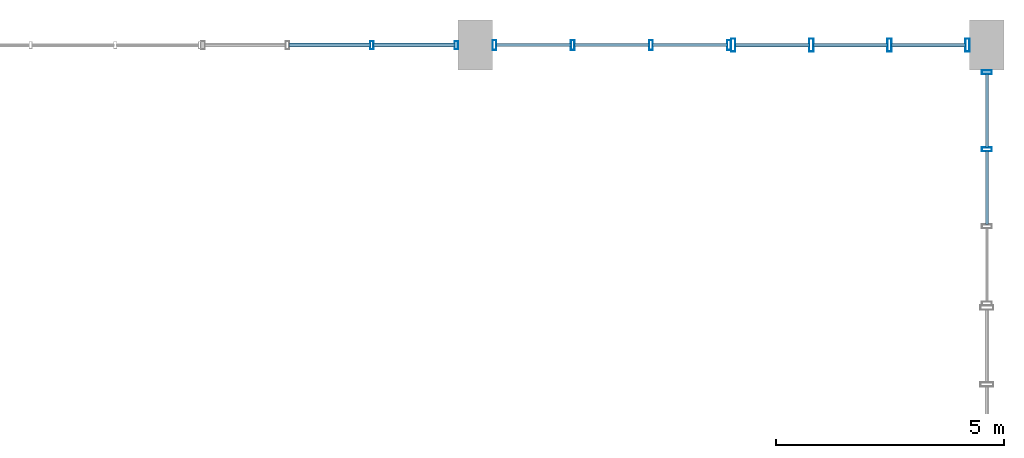
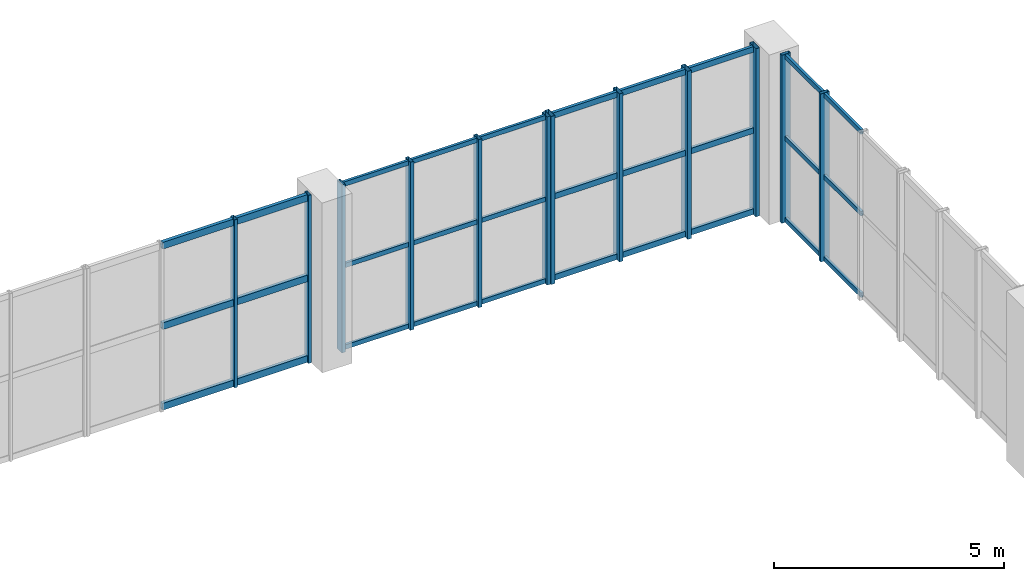
# One storey, part 53 of 80: 42 members, 4 elements without a shape of their own.
"""IFC4 building model written with IfcOpenShell, lengths in metres."""

from ifc_helpers import new_model, si_unit, direction, frame, origin, origin_2d, place, context, subcontext, project, spatial, hollow_rectangle, extrude, material, layer, layer_set, material_profile, profile_set, type_object, element, aggregate, save


model = new_model("IFC4")

# Units and contexts
model_context = context("Model", 3, precision=1e-05, world=origin(), true_north=direction((0.0, 1.0)))
body_context = subcontext(model_context, "Body", "Model", "MODEL_VIEW")
ifc_project = project(units=[si_unit("LENGTHUNIT", "METRE"), si_unit("AREAUNIT", "SQUARE_METRE"), si_unit("VOLUMEUNIT", "CUBIC_METRE"), si_unit("PLANEANGLEUNIT", "RADIAN"), si_unit("MASSUNIT", "GRAM", prefix="KILO"), si_unit("POWERUNIT", "WATT"), si_unit("THERMODYNAMICTEMPERATUREUNIT", "KELVIN")], contexts=[model_context])

# Site, building, storey
site_placement = place(None, origin())
site = spatial("IfcSite", under=ifc_project, at=site_placement, CompositionType="ELEMENT")
building_placement = place(site_placement, origin())
building = spatial("IfcBuilding", under=site, at=building_placement, Name="Kelmbourne Parkland Aquatics Centre", CompositionType="ELEMENT")
storey_placement = place(building_placement, frame((0.0, 0.0, 10.199951171875)))
storey = spatial("IfcBuildingStorey", under=building, at=storey_placement, Name="L02", CompositionType="ELEMENT", Elevation=10.199951171875)

# Curtain wall, members
ifc_material = material(Name="Thermally broken anodised aluminium framing", Category="aluminium")
ifc_layer_1 = layer(ifc_material, 0.179931640625)
ifc_layer_set_1 = layer_set([ifc_layer_1], Name="Thermally broken anodised aluminium framing")
curtain_wall_type_1 = type_object("IfcCurtainWallType", Name="CW-02", PredefinedType="NOTDEFINED", material=ifc_layer_set_1)
curtain_wall_1_placement = place(storey_placement, origin())
curtain_wall_1 = element("IfcCurtainWall", 1, at=curtain_wall_1_placement, inside=storey, type_object=curtain_wall_type_1, Name="Wave-hall clerestory curtain wall CW-L02-146", PredefinedType="NOTDEFINED")
ifc_material_profile_1 = material_profile(ifc_material, hollow_rectangle(XDim=0.074951171875, YDim=0.179931640625, WallThickness=0.00439453125, at=origin_2d()), Name="CW-M 75x180")
ifc_profile_set_1 = profile_set([ifc_material_profile_1], Name="Thermally broken anodised aluminium framing")
member_type_1 = type_object("IfcMemberType", Name="MB-MUL-2", PredefinedType="MULLION", material=ifc_profile_set_1)
member_1_placement = place(storey_placement, frame((161.736083984375, 114.800048828125, 0.0), z_axis=(0.0, 0.0, 1.0), x_axis=(1.0, 0.0, 0.0)))
member_1 = element("IfcMember", 2, at=member_1_placement, type_object=member_type_1, Name="CW-L02-146 mullion 2", PredefinedType="MULLION", context=body_context, shape_type="SweptSolid", body=[
    extrude(hollow_rectangle(XDim=0.074951171875, YDim=0.179931640625, WallThickness=0.00439453125, at=origin_2d()), origin(), (0.0, 0.0, 1.0), 4.449951171875),
])
member_2_placement = place(storey_placement, frame((163.58544921875, 114.800048828125, 0.0), z_axis=(0.0, 0.0, 1.0), x_axis=(1.0, 0.0, 0.0)))
member_2 = element("IfcMember", 3, at=member_2_placement, type_object=member_type_1, Name="CW-L02-146 mullion 3", PredefinedType="MULLION", context=body_context, shape_type="SweptSolid", body=[
    extrude(hollow_rectangle(XDim=0.074951171875, YDim=0.179931640625, WallThickness=0.00439453125, at=origin_2d()), origin(), (0.0, 0.0, 1.0), 4.449951171875),
])

ifc_layer_2 = layer(ifc_material, 0.179931640625)
ifc_layer_set_2 = layer_set([ifc_layer_2], Name="Thermally broken anodised aluminium framing")
curtain_wall_type_2 = type_object("IfcCurtainWallType", Name="CW-06", PredefinedType="NOTDEFINED", material=ifc_layer_set_2)
curtain_wall_2_placement = place(storey_placement, origin())
curtain_wall_2 = element("IfcCurtainWall", 4, at=curtain_wall_2_placement, inside=storey, type_object=curtain_wall_type_2, Name="Wave-hall clerestory curtain wall CW-L02-102", PredefinedType="NOTDEFINED")
ifc_material_profile_2 = material_profile(ifc_material, hollow_rectangle(XDim=0.0849609375, YDim=0.219970703125, WallThickness=0.0048828125, at=origin_2d()), Name="CW-M 85x220")
ifc_profile_set_2 = profile_set([ifc_material_profile_2], Name="Thermally broken anodised aluminium framing")
member_type_2 = type_object("IfcMemberType", Name="MB-MUL-3", PredefinedType="MULLION", material=ifc_profile_set_2)
member_3_placement = place(storey_placement, frame((175.199951171875, 112.517822265625, 0.0), z_axis=(0.0, 0.0, 1.0), x_axis=(0.0, 1.0, 0.0)))
member_3 = element("IfcMember", 5, at=member_3_placement, type_object=member_type_2, Name="CW-L02-102 mullion 2", PredefinedType="MULLION", context=body_context, shape_type="SweptSolid", body=[
    extrude(hollow_rectangle(XDim=0.0849609375, YDim=0.219970703125, WallThickness=0.0048828125, at=origin_2d()), origin(), (0.0, 0.0, 1.0), 4.449951171875),
])
member_4_placement = place(storey_placement, frame((175.199951171875, 114.20556640625, 0.0), z_axis=(0.0, 0.0, 1.0), x_axis=(0.0, 1.0, 0.0)))
member_4 = element("IfcMember", 6, at=member_4_placement, type_object=member_type_2, Name="CW-L02-102 mullion 3", PredefinedType="MULLION", context=body_context, shape_type="SweptSolid", body=[
    extrude(hollow_rectangle(XDim=0.0849609375, YDim=0.219970703125, WallThickness=0.0048828125, at=origin_2d()), origin(), (0.0, 0.0, 1.0), 4.449951171875),
])

ifc_layer_3 = layer(ifc_material, 0.179931640625)
ifc_layer_set_3 = layer_set([ifc_layer_3], Name="Thermally broken anodised aluminium framing")
curtain_wall_type_3 = type_object("IfcCurtainWallType", Name="CW-03", PredefinedType="NOTDEFINED", material=ifc_layer_set_3)
curtain_wall_3_placement = place(storey_placement, origin())
curtain_wall_3 = element("IfcCurtainWall", 7, at=curtain_wall_3_placement, inside=storey, type_object=curtain_wall_type_3, Name="Wave-hall clerestory curtain wall CW-L02-147", PredefinedType="NOTDEFINED")
member_5_placement = place(storey_placement, frame((164.41943359375, 114.800048828125, 0.0), z_axis=(0.0, 0.0, 1.0), x_axis=(1.0, 0.0, 0.0)))
member_5 = element("IfcMember", 8, at=member_5_placement, type_object=member_type_2, Name="CW-L02-147 mullion 0", PredefinedType="MULLION", context=body_context, shape_type="SweptSolid", body=[
    extrude(hollow_rectangle(XDim=0.0849609375, YDim=0.219970703125, WallThickness=0.0048828125, at=origin_2d()), origin(), (0.0, 0.0, 1.0), 4.449951171875),
])
member_6_placement = place(storey_placement, frame((166.132080078125, 114.800048828125, 0.0), z_axis=(0.0, 0.0, 1.0), x_axis=(1.0, 0.0, 0.0)))
member_6 = element("IfcMember", 9, at=member_6_placement, type_object=member_type_2, Name="CW-L02-147 mullion 1", PredefinedType="MULLION", context=body_context, shape_type="SweptSolid", body=[
    extrude(hollow_rectangle(XDim=0.0849609375, YDim=0.219970703125, WallThickness=0.0048828125, at=origin_2d()), origin(), (0.0, 0.0, 1.0), 4.449951171875),
])
member_7_placement = place(storey_placement, frame((167.8447265625, 114.800048828125, 0.0), z_axis=(0.0, 0.0, 1.0), x_axis=(1.0, 0.0, 0.0)))
member_7 = element("IfcMember", 10, at=member_7_placement, type_object=member_type_2, Name="CW-L02-147 mullion 2", PredefinedType="MULLION", context=body_context, shape_type="SweptSolid", body=[
    extrude(hollow_rectangle(XDim=0.0849609375, YDim=0.219970703125, WallThickness=0.0048828125, at=origin_2d()), origin(), (0.0, 0.0, 1.0), 4.449951171875),
])
member_8_placement = place(storey_placement, frame((169.5576171875, 114.800048828125, 0.0), z_axis=(0.0, 0.0, 1.0), x_axis=(1.0, 0.0, 0.0)))
member_8 = element("IfcMember", 11, at=member_8_placement, type_object=member_type_2, Name="CW-L02-147 mullion 3", PredefinedType="MULLION", context=body_context, shape_type="SweptSolid", body=[
    extrude(hollow_rectangle(XDim=0.0849609375, YDim=0.219970703125, WallThickness=0.0048828125, at=origin_2d()), origin(), (0.0, 0.0, 1.0), 4.449951171875),
])

ifc_layer_4 = layer(ifc_material, 0.179931640625)
ifc_layer_set_4 = layer_set([ifc_layer_4], Name="Thermally broken anodised aluminium framing")
curtain_wall_type_4 = type_object("IfcCurtainWallType", Name="CW-04", PredefinedType="NOTDEFINED", material=ifc_layer_set_4)
curtain_wall_4_placement = place(storey_placement, origin())
curtain_wall_4 = element("IfcCurtainWall", 12, at=curtain_wall_4_placement, inside=storey, type_object=curtain_wall_type_4, Name="Wave-hall clerestory curtain wall CW-L02-148", PredefinedType="NOTDEFINED")
ifc_material_profile_3 = material_profile(ifc_material, hollow_rectangle(XDim=0.094970703125, YDim=0.280029296875, WallThickness=0.005615234375, at=origin_2d()), Name="CW-M 95x280")
ifc_profile_set_3 = profile_set([ifc_material_profile_3], Name="Thermally broken anodised aluminium framing")
member_type_3 = type_object("IfcMemberType", Name="MB-MUL-4", PredefinedType="MULLION", material=ifc_profile_set_3)
member_9_placement = place(storey_placement, frame((169.6474609375, 114.800048828125, 0.0), z_axis=(0.0, 0.0, 1.0), x_axis=(1.0, 0.0, 0.0)))
member_9 = element("IfcMember", 13, at=member_9_placement, type_object=member_type_3, Name="CW-L02-148 mullion 0", PredefinedType="MULLION", context=body_context, shape_type="SweptSolid", body=[
    extrude(hollow_rectangle(XDim=0.094970703125, YDim=0.280029296875, WallThickness=0.005615234375, at=origin_2d()), origin(), (0.0, 0.0, 1.0), 4.449951171875),
])
member_10_placement = place(storey_placement, frame((171.356689453125, 114.800048828125, 0.0), z_axis=(0.0, 0.0, 1.0), x_axis=(1.0, 0.0, 0.0)))
member_10 = element("IfcMember", 14, at=member_10_placement, type_object=member_type_3, Name="CW-L02-148 mullion 1", PredefinedType="MULLION", context=body_context, shape_type="SweptSolid", body=[
    extrude(hollow_rectangle(XDim=0.094970703125, YDim=0.280029296875, WallThickness=0.005615234375, at=origin_2d()), origin(), (0.0, 0.0, 1.0), 4.449951171875),
])
member_11_placement = place(storey_placement, frame((173.066162109375, 114.800048828125, 0.0), z_axis=(0.0, 0.0, 1.0), x_axis=(1.0, 0.0, 0.0)))
member_11 = element("IfcMember", 15, at=member_11_placement, type_object=member_type_3, Name="CW-L02-148 mullion 2", PredefinedType="MULLION", context=body_context, shape_type="SweptSolid", body=[
    extrude(hollow_rectangle(XDim=0.094970703125, YDim=0.280029296875, WallThickness=0.005615234375, at=origin_2d()), origin(), (0.0, 0.0, 1.0), 4.449951171875),
])
member_12_placement = place(storey_placement, frame((174.775390625, 114.800048828125, 0.0), z_axis=(0.0, 0.0, 1.0), x_axis=(1.0, 0.0, 0.0)))
member_12 = element("IfcMember", 16, at=member_12_placement, type_object=member_type_3, Name="CW-L02-148 mullion 3", PredefinedType="MULLION", context=body_context, shape_type="SweptSolid", body=[
    extrude(hollow_rectangle(XDim=0.094970703125, YDim=0.280029296875, WallThickness=0.005615234375, at=origin_2d()), origin(), (0.0, 0.0, 1.0), 4.449951171875),
])

# Member
ifc_material_profile_4 = material_profile(ifc_material, hollow_rectangle(XDim=0.06494140625, YDim=0.1201171875, WallThickness=0.00341796875, at=origin_2d()), Name="CW-T 65x120")
ifc_profile_set_4 = profile_set([ifc_material_profile_4], Name="Thermally broken anodised aluminium framing")
member_type_4 = type_object("IfcMemberType", Name="MB-TRN-1", PredefinedType="USERDEFINED", material=ifc_profile_set_4)
member_13_placement = place(storey_placement, frame((175.199951171875, 110.86865234375, 0.06298828125), z_axis=(0.0, 1.0, 0.0), x_axis=(-1.0, 0.0, 0.0)))
member_13 = element("IfcMember", 17, at=member_13_placement, type_object=member_type_4, Name="CW-L02-102 transom 0-1", ObjectType="TRANSOM", PredefinedType="USERDEFINED", context=body_context, shape_type="SweptSolid", body=[
    extrude(hollow_rectangle(XDim=0.06494140625, YDim=0.1201171875, WallThickness=0.00341796875, at=origin_2d()), origin(), (0.0, 0.0, 1.0), 1.610595703125),
])

member_14_placement = place(storey_placement, frame((175.199951171875, 112.556396484375, 0.06298828125), z_axis=(0.0, 1.0, 0.0), x_axis=(-1.0, 0.0, 0.0)))
member_14 = element("IfcMember", 18, at=member_14_placement, type_object=member_type_4, Name="CW-L02-102 transom 0-2", ObjectType="TRANSOM", PredefinedType="USERDEFINED", context=body_context, shape_type="SweptSolid", body=[
    extrude(hollow_rectangle(XDim=0.06494140625, YDim=0.1201171875, WallThickness=0.00341796875, at=origin_2d()), origin(), (0.0, 0.0, 1.0), 1.610595703125),
])

member_15_placement = place(storey_placement, frame((175.199951171875, 110.86865234375, 2.22509765625), z_axis=(0.0, 1.0, 0.0), x_axis=(-1.0, 0.0, 0.0)))
member_15 = element("IfcMember", 19, at=member_15_placement, type_object=member_type_4, Name="CW-L02-102 transom 1-1", ObjectType="TRANSOM", PredefinedType="USERDEFINED", context=body_context, shape_type="SweptSolid", body=[
    extrude(hollow_rectangle(XDim=0.06494140625, YDim=0.1201171875, WallThickness=0.00341796875, at=origin_2d()), origin(), (0.0, 0.0, 1.0), 1.610595703125),
])

member_16_placement = place(storey_placement, frame((175.199951171875, 112.556396484375, 2.22509765625), z_axis=(0.0, 1.0, 0.0), x_axis=(-1.0, 0.0, 0.0)))
member_16 = element("IfcMember", 20, at=member_16_placement, type_object=member_type_4, Name="CW-L02-102 transom 1-2", ObjectType="TRANSOM", PredefinedType="USERDEFINED", context=body_context, shape_type="SweptSolid", body=[
    extrude(hollow_rectangle(XDim=0.06494140625, YDim=0.1201171875, WallThickness=0.00341796875, at=origin_2d()), origin(), (0.0, 0.0, 1.0), 1.610595703125),
])

member_17_placement = place(storey_placement, frame((175.199951171875, 110.86865234375, 4.386962890625), z_axis=(0.0, 1.0, 0.0), x_axis=(-1.0, 0.0, 0.0)))
member_17 = element("IfcMember", 21, at=member_17_placement, type_object=member_type_4, Name="CW-L02-102 transom 2-1", ObjectType="TRANSOM", PredefinedType="USERDEFINED", context=body_context, shape_type="SweptSolid", body=[
    extrude(hollow_rectangle(XDim=0.06494140625, YDim=0.1201171875, WallThickness=0.00341796875, at=origin_2d()), origin(), (0.0, 0.0, 1.0), 1.610595703125),
])

member_18_placement = place(storey_placement, frame((175.199951171875, 112.556396484375, 4.386962890625), z_axis=(0.0, 1.0, 0.0), x_axis=(-1.0, 0.0, 0.0)))
member_18 = element("IfcMember", 22, at=member_18_placement, type_object=member_type_4, Name="CW-L02-102 transom 2-2", ObjectType="TRANSOM", PredefinedType="USERDEFINED", context=body_context, shape_type="SweptSolid", body=[
    extrude(hollow_rectangle(XDim=0.06494140625, YDim=0.1201171875, WallThickness=0.00341796875, at=origin_2d()), origin(), (0.0, 0.0, 1.0), 1.610595703125),
])

aggregate(curtain_wall_2, [member_3, member_4, member_13, member_14, member_15, member_16, member_17, member_18])

member_19_placement = place(storey_placement, frame((164.4580078125, 114.800048828125, 0.06298828125), z_axis=(1.0, 0.0, 0.0), x_axis=(0.0, 1.0, 0.0)))
member_19 = element("IfcMember", 23, at=member_19_placement, type_object=member_type_4, Name="CW-L02-147 transom 0-0", ObjectType="TRANSOM", PredefinedType="USERDEFINED", context=body_context, shape_type="SweptSolid", body=[
    extrude(hollow_rectangle(XDim=0.06494140625, YDim=0.1201171875, WallThickness=0.00341796875, at=origin_2d()), origin(), (0.0, 0.0, 1.0), 1.6357421875),
])

member_20_placement = place(storey_placement, frame((166.170654296875, 114.800048828125, 0.06298828125), z_axis=(1.0, 0.0, 0.0), x_axis=(0.0, 1.0, 0.0)))
member_20 = element("IfcMember", 24, at=member_20_placement, type_object=member_type_4, Name="CW-L02-147 transom 0-1", ObjectType="TRANSOM", PredefinedType="USERDEFINED", context=body_context, shape_type="SweptSolid", body=[
    extrude(hollow_rectangle(XDim=0.06494140625, YDim=0.1201171875, WallThickness=0.00341796875, at=origin_2d()), origin(), (0.0, 0.0, 1.0), 1.6357421875),
])

member_21_placement = place(storey_placement, frame((167.88330078125, 114.800048828125, 0.06298828125), z_axis=(1.0, 0.0, 0.0), x_axis=(0.0, 1.0, 0.0)))
member_21 = element("IfcMember", 25, at=member_21_placement, type_object=member_type_4, Name="CW-L02-147 transom 0-2", ObjectType="TRANSOM", PredefinedType="USERDEFINED", context=body_context, shape_type="SweptSolid", body=[
    extrude(hollow_rectangle(XDim=0.06494140625, YDim=0.1201171875, WallThickness=0.00341796875, at=origin_2d()), origin(), (0.0, 0.0, 1.0), 1.6357421875),
])

member_22_placement = place(storey_placement, frame((164.4580078125, 114.800048828125, 2.22509765625), z_axis=(1.0, 0.0, 0.0), x_axis=(0.0, 1.0, 0.0)))
member_22 = element("IfcMember", 26, at=member_22_placement, type_object=member_type_4, Name="CW-L02-147 transom 1-0", ObjectType="TRANSOM", PredefinedType="USERDEFINED", context=body_context, shape_type="SweptSolid", body=[
    extrude(hollow_rectangle(XDim=0.06494140625, YDim=0.1201171875, WallThickness=0.00341796875, at=origin_2d()), origin(), (0.0, 0.0, 1.0), 1.6357421875),
])

member_23_placement = place(storey_placement, frame((166.170654296875, 114.800048828125, 2.22509765625), z_axis=(1.0, 0.0, 0.0), x_axis=(0.0, 1.0, 0.0)))
member_23 = element("IfcMember", 27, at=member_23_placement, type_object=member_type_4, Name="CW-L02-147 transom 1-1", ObjectType="TRANSOM", PredefinedType="USERDEFINED", context=body_context, shape_type="SweptSolid", body=[
    extrude(hollow_rectangle(XDim=0.06494140625, YDim=0.1201171875, WallThickness=0.00341796875, at=origin_2d()), origin(), (0.0, 0.0, 1.0), 1.6357421875),
])

member_24_placement = place(storey_placement, frame((167.88330078125, 114.800048828125, 2.22509765625), z_axis=(1.0, 0.0, 0.0), x_axis=(0.0, 1.0, 0.0)))
member_24 = element("IfcMember", 28, at=member_24_placement, type_object=member_type_4, Name="CW-L02-147 transom 1-2", ObjectType="TRANSOM", PredefinedType="USERDEFINED", context=body_context, shape_type="SweptSolid", body=[
    extrude(hollow_rectangle(XDim=0.06494140625, YDim=0.1201171875, WallThickness=0.00341796875, at=origin_2d()), origin(), (0.0, 0.0, 1.0), 1.6357421875),
])

member_25_placement = place(storey_placement, frame((164.4580078125, 114.800048828125, 4.386962890625), z_axis=(1.0, 0.0, 0.0), x_axis=(0.0, 1.0, 0.0)))
member_25 = element("IfcMember", 29, at=member_25_placement, type_object=member_type_4, Name="CW-L02-147 transom 2-0", ObjectType="TRANSOM", PredefinedType="USERDEFINED", context=body_context, shape_type="SweptSolid", body=[
    extrude(hollow_rectangle(XDim=0.06494140625, YDim=0.1201171875, WallThickness=0.00341796875, at=origin_2d()), origin(), (0.0, 0.0, 1.0), 1.6357421875),
])

member_26_placement = place(storey_placement, frame((166.170654296875, 114.800048828125, 4.386962890625), z_axis=(1.0, 0.0, 0.0), x_axis=(0.0, 1.0, 0.0)))
member_26 = element("IfcMember", 30, at=member_26_placement, type_object=member_type_4, Name="CW-L02-147 transom 2-1", ObjectType="TRANSOM", PredefinedType="USERDEFINED", context=body_context, shape_type="SweptSolid", body=[
    extrude(hollow_rectangle(XDim=0.06494140625, YDim=0.1201171875, WallThickness=0.00341796875, at=origin_2d()), origin(), (0.0, 0.0, 1.0), 1.6357421875),
])

member_27_placement = place(storey_placement, frame((167.88330078125, 114.800048828125, 4.386962890625), z_axis=(1.0, 0.0, 0.0), x_axis=(0.0, 1.0, 0.0)))
member_27 = element("IfcMember", 31, at=member_27_placement, type_object=member_type_4, Name="CW-L02-147 transom 2-2", ObjectType="TRANSOM", PredefinedType="USERDEFINED", context=body_context, shape_type="SweptSolid", body=[
    extrude(hollow_rectangle(XDim=0.06494140625, YDim=0.1201171875, WallThickness=0.00341796875, at=origin_2d()), origin(), (0.0, 0.0, 1.0), 1.6357421875),
])

aggregate(curtain_wall_3, [member_5, member_6, member_7, member_8, member_19, member_20, member_21, member_22, member_23, member_24, member_25, member_26, member_27])

ifc_material_profile_5 = material_profile(ifc_material, hollow_rectangle(XDim=0.074951171875, YDim=0.14990234375, WallThickness=0.00390625, at=origin_2d()), Name="CW-T 75x150")
ifc_profile_set_5 = profile_set([ifc_material_profile_5], Name="Thermally broken anodised aluminium framing")
member_type_5 = type_object("IfcMemberType", Name="MB-TRN-2", PredefinedType="USERDEFINED", material=ifc_profile_set_5)
member_28_placement = place(storey_placement, frame((169.69091796875, 114.800048828125, 0.078125), z_axis=(1.0, 0.0, 0.0), x_axis=(0.0, 1.0, 0.0)))
member_28 = element("IfcMember", 32, at=member_28_placement, type_object=member_type_5, Name="CW-L02-148 transom 0-0", ObjectType="TRANSOM", PredefinedType="USERDEFINED", context=body_context, shape_type="SweptSolid", body=[
    extrude(hollow_rectangle(XDim=0.074951171875, YDim=0.14990234375, WallThickness=0.00390625, at=origin_2d()), origin(), (0.0, 0.0, 1.0), 1.622314453125),
])

member_29_placement = place(storey_placement, frame((171.400390625, 114.800048828125, 0.078125), z_axis=(1.0, 0.0, 0.0), x_axis=(0.0, 1.0, 0.0)))
member_29 = element("IfcMember", 33, at=member_29_placement, type_object=member_type_5, Name="CW-L02-148 transom 0-1", ObjectType="TRANSOM", PredefinedType="USERDEFINED", context=body_context, shape_type="SweptSolid", body=[
    extrude(hollow_rectangle(XDim=0.074951171875, YDim=0.14990234375, WallThickness=0.00390625, at=origin_2d()), origin(), (0.0, 0.0, 1.0), 1.622314453125),
])

member_30_placement = place(storey_placement, frame((173.109619140625, 114.800048828125, 0.078125), z_axis=(1.0, 0.0, 0.0), x_axis=(0.0, 1.0, 0.0)))
member_30 = element("IfcMember", 34, at=member_30_placement, type_object=member_type_5, Name="CW-L02-148 transom 0-2", ObjectType="TRANSOM", PredefinedType="USERDEFINED", context=body_context, shape_type="SweptSolid", body=[
    extrude(hollow_rectangle(XDim=0.074951171875, YDim=0.14990234375, WallThickness=0.00390625, at=origin_2d()), origin(), (0.0, 0.0, 1.0), 1.622314453125),
])

member_31_placement = place(storey_placement, frame((169.69091796875, 114.800048828125, 2.22509765625), z_axis=(1.0, 0.0, 0.0), x_axis=(0.0, 1.0, 0.0)))
member_31 = element("IfcMember", 35, at=member_31_placement, type_object=member_type_5, Name="CW-L02-148 transom 1-0", ObjectType="TRANSOM", PredefinedType="USERDEFINED", context=body_context, shape_type="SweptSolid", body=[
    extrude(hollow_rectangle(XDim=0.074951171875, YDim=0.14990234375, WallThickness=0.00390625, at=origin_2d()), origin(), (0.0, 0.0, 1.0), 1.622314453125),
])

member_32_placement = place(storey_placement, frame((171.400390625, 114.800048828125, 2.22509765625), z_axis=(1.0, 0.0, 0.0), x_axis=(0.0, 1.0, 0.0)))
member_32 = element("IfcMember", 36, at=member_32_placement, type_object=member_type_5, Name="CW-L02-148 transom 1-1", ObjectType="TRANSOM", PredefinedType="USERDEFINED", context=body_context, shape_type="SweptSolid", body=[
    extrude(hollow_rectangle(XDim=0.074951171875, YDim=0.14990234375, WallThickness=0.00390625, at=origin_2d()), origin(), (0.0, 0.0, 1.0), 1.622314453125),
])

member_33_placement = place(storey_placement, frame((173.109619140625, 114.800048828125, 2.22509765625), z_axis=(1.0, 0.0, 0.0), x_axis=(0.0, 1.0, 0.0)))
member_33 = element("IfcMember", 37, at=member_33_placement, type_object=member_type_5, Name="CW-L02-148 transom 1-2", ObjectType="TRANSOM", PredefinedType="USERDEFINED", context=body_context, shape_type="SweptSolid", body=[
    extrude(hollow_rectangle(XDim=0.074951171875, YDim=0.14990234375, WallThickness=0.00390625, at=origin_2d()), origin(), (0.0, 0.0, 1.0), 1.622314453125),
])

member_34_placement = place(storey_placement, frame((169.69091796875, 114.800048828125, 4.3720703125), z_axis=(1.0, 0.0, 0.0), x_axis=(0.0, 1.0, 0.0)))
member_34 = element("IfcMember", 38, at=member_34_placement, type_object=member_type_5, Name="CW-L02-148 transom 2-0", ObjectType="TRANSOM", PredefinedType="USERDEFINED", context=body_context, shape_type="SweptSolid", body=[
    extrude(hollow_rectangle(XDim=0.074951171875, YDim=0.14990234375, WallThickness=0.00390625, at=origin_2d()), origin(), (0.0, 0.0, 1.0), 1.622314453125),
])

member_35_placement = place(storey_placement, frame((171.400390625, 114.800048828125, 4.3720703125), z_axis=(1.0, 0.0, 0.0), x_axis=(0.0, 1.0, 0.0)))
member_35 = element("IfcMember", 39, at=member_35_placement, type_object=member_type_5, Name="CW-L02-148 transom 2-1", ObjectType="TRANSOM", PredefinedType="USERDEFINED", context=body_context, shape_type="SweptSolid", body=[
    extrude(hollow_rectangle(XDim=0.074951171875, YDim=0.14990234375, WallThickness=0.00390625, at=origin_2d()), origin(), (0.0, 0.0, 1.0), 1.622314453125),
])

member_36_placement = place(storey_placement, frame((173.109619140625, 114.800048828125, 4.3720703125), z_axis=(1.0, 0.0, 0.0), x_axis=(0.0, 1.0, 0.0)))
member_36 = element("IfcMember", 40, at=member_36_placement, type_object=member_type_5, Name="CW-L02-148 transom 2-2", ObjectType="TRANSOM", PredefinedType="USERDEFINED", context=body_context, shape_type="SweptSolid", body=[
    extrude(hollow_rectangle(XDim=0.074951171875, YDim=0.14990234375, WallThickness=0.00390625, at=origin_2d()), origin(), (0.0, 0.0, 1.0), 1.622314453125),
])

aggregate(curtain_wall_4, [member_9, member_10, member_11, member_12, member_28, member_29, member_30, member_31, member_32, member_33, member_34, member_35, member_36])

ifc_material_profile_6 = material_profile(ifc_material, hollow_rectangle(XDim=0.0849609375, YDim=0.179931640625, WallThickness=0.00439453125, at=origin_2d()), Name="CW-T 85x180")
ifc_profile_set_6 = profile_set([ifc_material_profile_6], Name="Thermally broken anodised aluminium framing")
member_type_6 = type_object("IfcMemberType", Name="MB-TRN-3", PredefinedType="USERDEFINED", material=ifc_profile_set_6)
member_37_placement = place(storey_placement, frame((159.92041015625, 114.800048828125, 0.093017578125), z_axis=(1.0, 0.0, 0.0), x_axis=(0.0, 1.0, 0.0)))
member_37 = element("IfcMember", 41, at=member_37_placement, type_object=member_type_6, Name="CW-L02-146 transom 0-1", ObjectType="TRANSOM", PredefinedType="USERDEFINED", context=body_context, shape_type="SweptSolid", body=[
    extrude(hollow_rectangle(XDim=0.0849609375, YDim=0.179931640625, WallThickness=0.00439453125, at=origin_2d()), origin(), (0.0, 0.0, 1.0), 1.7822265625),
])

member_38_placement = place(storey_placement, frame((161.769775390625, 114.800048828125, 0.093017578125), z_axis=(1.0, 0.0, 0.0), x_axis=(0.0, 1.0, 0.0)))
member_38 = element("IfcMember", 42, at=member_38_placement, type_object=member_type_6, Name="CW-L02-146 transom 0-2", ObjectType="TRANSOM", PredefinedType="USERDEFINED", context=body_context, shape_type="SweptSolid", body=[
    extrude(hollow_rectangle(XDim=0.0849609375, YDim=0.179931640625, WallThickness=0.00439453125, at=origin_2d()), origin(), (0.0, 0.0, 1.0), 1.7822265625),
])

member_39_placement = place(storey_placement, frame((159.92041015625, 114.800048828125, 2.22509765625), z_axis=(1.0, 0.0, 0.0), x_axis=(0.0, 1.0, 0.0)))
member_39 = element("IfcMember", 43, at=member_39_placement, type_object=member_type_6, Name="CW-L02-146 transom 1-1", ObjectType="TRANSOM", PredefinedType="USERDEFINED", context=body_context, shape_type="SweptSolid", body=[
    extrude(hollow_rectangle(XDim=0.0849609375, YDim=0.179931640625, WallThickness=0.00439453125, at=origin_2d()), origin(), (0.0, 0.0, 1.0), 1.7822265625),
])

member_40_placement = place(storey_placement, frame((161.769775390625, 114.800048828125, 2.22509765625), z_axis=(1.0, 0.0, 0.0), x_axis=(0.0, 1.0, 0.0)))
member_40 = element("IfcMember", 44, at=member_40_placement, type_object=member_type_6, Name="CW-L02-146 transom 1-2", ObjectType="TRANSOM", PredefinedType="USERDEFINED", context=body_context, shape_type="SweptSolid", body=[
    extrude(hollow_rectangle(XDim=0.0849609375, YDim=0.179931640625, WallThickness=0.00439453125, at=origin_2d()), origin(), (0.0, 0.0, 1.0), 1.7822265625),
])

member_41_placement = place(storey_placement, frame((159.92041015625, 114.800048828125, 4.35693359375), z_axis=(1.0, 0.0, 0.0), x_axis=(0.0, 1.0, 0.0)))
member_41 = element("IfcMember", 45, at=member_41_placement, type_object=member_type_6, Name="CW-L02-146 transom 2-1", ObjectType="TRANSOM", PredefinedType="USERDEFINED", context=body_context, shape_type="SweptSolid", body=[
    extrude(hollow_rectangle(XDim=0.0849609375, YDim=0.179931640625, WallThickness=0.00439453125, at=origin_2d()), origin(), (0.0, 0.0, 1.0), 1.7822265625),
])

member_42_placement = place(storey_placement, frame((161.769775390625, 114.800048828125, 4.35693359375), z_axis=(1.0, 0.0, 0.0), x_axis=(0.0, 1.0, 0.0)))
member_42 = element("IfcMember", 46, at=member_42_placement, type_object=member_type_6, Name="CW-L02-146 transom 2-2", ObjectType="TRANSOM", PredefinedType="USERDEFINED", context=body_context, shape_type="SweptSolid", body=[
    extrude(hollow_rectangle(XDim=0.0849609375, YDim=0.179931640625, WallThickness=0.00439453125, at=origin_2d()), origin(), (0.0, 0.0, 1.0), 1.7822265625),
])

aggregate(curtain_wall_1, [member_1, member_2, member_37, member_38, member_39, member_40, member_41, member_42])

save(model, "model.ifc")
